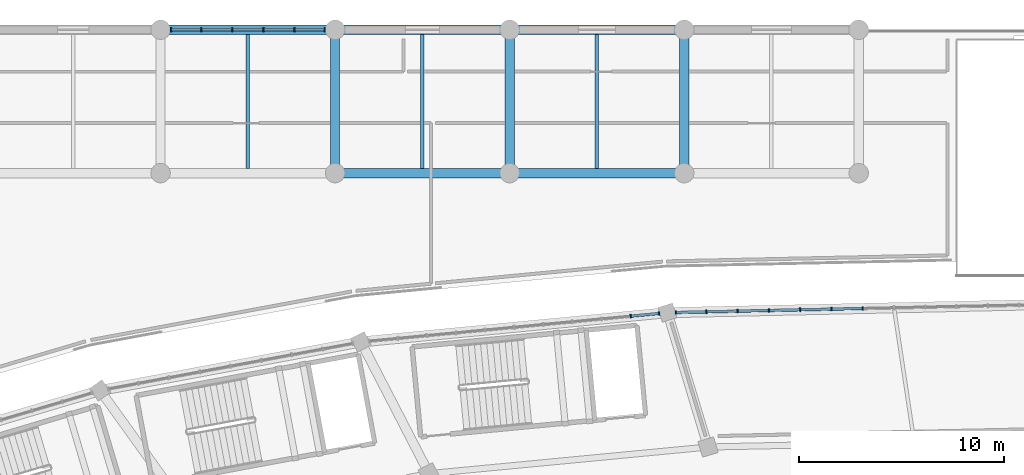
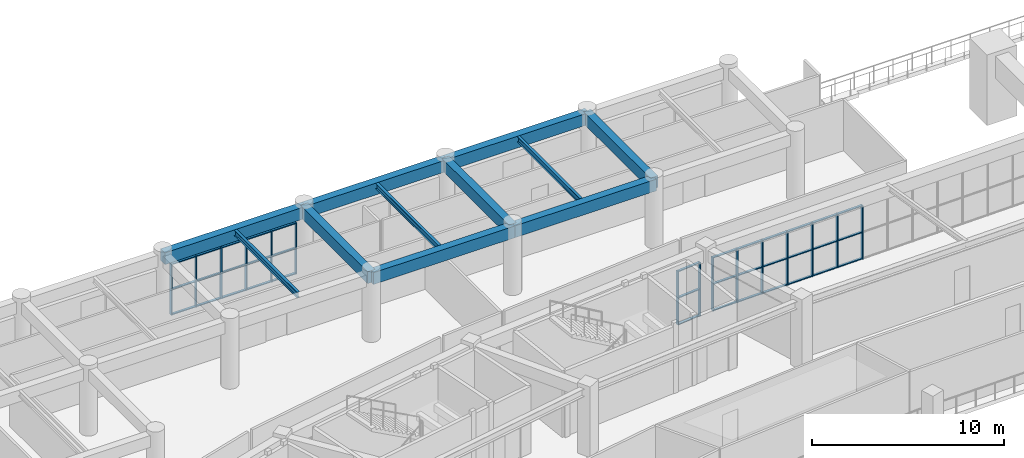
# One storey, part 58 of 141: 51 members, 11 beams, 3 elements without a shape of their own.
"""IFC4 building model written with IfcOpenShell, lengths in metres."""

from ifc_helpers import new_model, si_unit, direction, frame, origin, origin_2d, place, context, subcontext, project, spatial, rectangle, i_section, extrude, material, layer, layer_set, material_profile, profile_set, type_object, element, aggregate, save


model = new_model("IFC4")

# Units and contexts
model_context = context("Model", 3, precision=1e-05, world=origin(), true_north=direction((0.0, 1.0)))
body_context = subcontext(model_context, "Body", "Model", "MODEL_VIEW")
ifc_project = project(units=[si_unit("LENGTHUNIT", "METRE"), si_unit("AREAUNIT", "SQUARE_METRE"), si_unit("VOLUMEUNIT", "CUBIC_METRE"), si_unit("PLANEANGLEUNIT", "RADIAN"), si_unit("MASSUNIT", "GRAM", prefix="KILO")], contexts=[model_context])

# Site, building, storey
site_placement = place(None, origin())
site = spatial("IfcSite", under=ifc_project, at=site_placement, CompositionType="ELEMENT")
building_placement = place(site_placement, origin())
building = spatial("IfcBuilding", under=site, at=building_placement, Name="Mphavela Belvedere Stadium", CompositionType="ELEMENT")
storey_placement = place(building_placement, frame((0.0, 0.0, 14.699951171875)))
storey = spatial("IfcBuildingStorey", under=building, at=storey_placement, Name="L03", CompositionType="ELEMENT", Elevation=14.699951171875)

# Beams
ifc_material_1 = material(Name="Steel S355", Category="steel")
ifc_material_profile_1 = material_profile(ifc_material_1, i_section(OverallWidth=0.169921875, OverallDepth=0.360107421875, WebThickness=0.008056640625, FlangeThickness=0.0126953125, at=origin_2d()), Name="IPE 360")
ifc_profile_set_1 = profile_set([ifc_material_profile_1], Name="Steel S355")
beam_type_1 = type_object("IfcBeamType", Name="BM-JOIST-IPE360", PredefinedType="JOIST", material=ifc_profile_set_1)
for number, where, z_axis, x_axis, name in (
    (1, (72.407470703125, 167.22509765625, 4.06005859375), (0.0, 1.0, 0.0), (-1.0, 0.0, 0.0), "North Mast and Ceremonial End Forecourt secondary joist L03 9-7"),
    (2, (80.926025390625, 167.22509765625, 4.06005859375), (0.0, 1.0, 0.0), (-1.0, 0.0, 0.0), "North Mast and Ceremonial End Forecourt secondary joist L03 10-7"),
    (3, (89.444580078125, 167.22509765625, 4.06005859375), (0.0, 1.0, 0.0), (-1.0, 0.0, 0.0), "North Mast and Ceremonial End Forecourt secondary joist L03 11-7"),
):
    element("IfcBeam", number, at=place(storey_placement, frame(where, z_axis=z_axis, x_axis=x_axis)), inside=storey, type_object=beam_type_1, Name=name, PredefinedType="JOIST", context=body_context, shape_type="SweptSolid", body=[
        extrude(i_section(OverallWidth=0.169921875, OverallDepth=0.360107421875, WebThickness=0.008056640625, FlangeThickness=0.0126953125, at=origin_2d()), origin(), (0.0, 0.0, 1.0), 6.5498046875),
    ])
ifc_material_2 = material(Name="Concrete C40/50", Category="concrete")
ifc_material_profile_2 = material_profile(ifc_material_2, rectangle(XDim=0.449951171875, YDim=0.75, at=origin_2d()), Name="RC 450x750")
ifc_profile_set_2 = profile_set([ifc_material_profile_2], Name="Concrete C40/50")
beam_type_2 = type_object("IfcBeamType", Name="BM-RC450x750", PredefinedType="BEAM", material=ifc_profile_set_2)
beam_1_placement = place(storey_placement, frame((68.14794921875, 174.0, 3.864990234375), z_axis=(1.0, 0.0, 0.0), x_axis=(0.0, 1.0, 0.0)))
element("IfcBeam", 4, at=beam_1_placement, inside=storey, type_object=beam_type_2, Name="North Mast and Ceremonial End Forecourt entablature beam X L03 9-8", PredefinedType="BEAM", context=body_context, shape_type="SweptSolid", body=[
    extrude(rectangle(XDim=0.449951171875, YDim=0.75, at=origin_2d()), origin(), (0.0, 0.0, 1.0), 8.51904296875),
])
beam_2_placement = place(storey_placement, frame((76.6669921875, 167.0, 3.864990234375), z_axis=(1.0, 0.0, 0.0), x_axis=(0.0, 1.0, 0.0)))
element("IfcBeam", 5, at=beam_2_placement, inside=storey, type_object=beam_type_2, Name="North Mast and Ceremonial End Forecourt entablature beam X L03 10-7", PredefinedType="BEAM", context=body_context, shape_type="SweptSolid", body=[
    extrude(rectangle(XDim=0.449951171875, YDim=0.75, at=origin_2d()), origin(), (0.0, 0.0, 1.0), 8.51806640625),
])
beam_3_placement = place(storey_placement, frame((76.6669921875, 167.0, 3.864990234375), z_axis=(0.0, 1.0, 0.0), x_axis=(-1.0, 0.0, 0.0)))
element("IfcBeam", 6, at=beam_3_placement, inside=storey, type_object=beam_type_2, Name="North Mast and Ceremonial End Forecourt entablature beam Y L03 10-7", PredefinedType="BEAM", context=body_context, shape_type="SweptSolid", body=[
    extrude(rectangle(XDim=0.449951171875, YDim=0.75, at=origin_2d()), origin(), (0.0, 0.0, 1.0), 7.0),
])
beam_4_placement = place(storey_placement, frame((76.6669921875, 174.0, 3.864990234375), z_axis=(1.0, 0.0, 0.0), x_axis=(0.0, 1.0, 0.0)))
element("IfcBeam", 7, at=beam_4_placement, inside=storey, type_object=beam_type_2, Name="North Mast and Ceremonial End Forecourt entablature beam X L03 10-8", PredefinedType="BEAM", context=body_context, shape_type="SweptSolid", body=[
    extrude(rectangle(XDim=0.449951171875, YDim=0.75, at=origin_2d()), origin(), (0.0, 0.0, 1.0), 8.51806640625),
])
beam_5_placement = place(storey_placement, frame((85.18505859375, 167.0, 3.864990234375), z_axis=(1.0, 0.0, 0.0), x_axis=(0.0, 1.0, 0.0)))
element("IfcBeam", 8, at=beam_5_placement, inside=storey, type_object=beam_type_2, Name="North Mast and Ceremonial End Forecourt entablature beam X L03 11-7", PredefinedType="BEAM", context=body_context, shape_type="SweptSolid", body=[
    extrude(rectangle(XDim=0.449951171875, YDim=0.75, at=origin_2d()), origin(), (0.0, 0.0, 1.0), 8.51904296875),
])
beam_6_placement = place(storey_placement, frame((85.18505859375, 167.0, 3.864990234375), z_axis=(0.0, 1.0, 0.0), x_axis=(-1.0, 0.0, 0.0)))
element("IfcBeam", 9, at=beam_6_placement, inside=storey, type_object=beam_type_2, Name="North Mast and Ceremonial End Forecourt entablature beam Y L03 11-7", PredefinedType="BEAM", context=body_context, shape_type="SweptSolid", body=[
    extrude(rectangle(XDim=0.449951171875, YDim=0.75, at=origin_2d()), origin(), (0.0, 0.0, 1.0), 7.0),
])
beam_7_placement = place(storey_placement, frame((85.18505859375, 174.0, 3.864990234375), z_axis=(1.0, 0.0, 0.0), x_axis=(0.0, 1.0, 0.0)))
element("IfcBeam", 10, at=beam_7_placement, inside=storey, type_object=beam_type_2, Name="North Mast and Ceremonial End Forecourt entablature beam X L03 11-8", PredefinedType="BEAM", context=body_context, shape_type="SweptSolid", body=[
    extrude(rectangle(XDim=0.449951171875, YDim=0.75, at=origin_2d()), origin(), (0.0, 0.0, 1.0), 8.51904296875),
])
beam_8_placement = place(storey_placement, frame((93.7041015625, 167.0, 3.864990234375), z_axis=(0.0, 1.0, 0.0), x_axis=(-1.0, 0.0, 0.0)))
element("IfcBeam", 11, at=beam_8_placement, inside=storey, type_object=beam_type_2, Name="North Mast and Ceremonial End Forecourt entablature beam Y L03 12-7", PredefinedType="BEAM", context=body_context, shape_type="SweptSolid", body=[
    extrude(rectangle(XDim=0.449951171875, YDim=0.75, at=origin_2d()), origin(), (0.0, 0.0, 1.0), 7.0),
])

# Curtain wall, members
ifc_material_3 = material(Name="Anodised bronze unitised curtain wall framing")
ifc_layer_1 = layer(ifc_material_3, 0.199951171875)
ifc_layer_set_1 = layer_set([ifc_layer_1], Name="Anodised bronze unitised curtain wall framing")
curtain_wall_type_1 = type_object("IfcCurtainWallType", Name="CW-UNIT-05", PredefinedType="USERDEFINED", material=ifc_layer_set_1)
curtain_wall_1_placement = place(storey_placement, origin())
curtain_wall_1 = element("IfcCurtainWall", 12, at=curtain_wall_1_placement, inside=storey, type_object=curtain_wall_type_1, Name="Belvedere colonnade curtain wall L03-13", ObjectType="UNITISED CURTAIN WALL", PredefinedType="USERDEFINED")
ifc_material_4 = material(Name="Anodised bronze extruded aluminium", Category="aluminium")
ifc_material_profile_3 = material_profile(ifc_material_4, rectangle(XDim=0.179931640625, YDim=0.06494140625, at=origin_2d()), Name="CW-MUL 180x65")
ifc_profile_set_3 = profile_set([ifc_material_profile_3], Name="Anodised bronze extruded aluminium")
member_type_1 = type_object("IfcMemberType", Name="CWM-180x65", PredefinedType="MULLION", material=ifc_profile_set_3)
member_1_placement = place(storey_placement, frame((102.416259765625, 160.39892578125, 0.0), z_axis=(0.0, 0.0, 1.0), x_axis=(0.02153107878, -0.999768179453, 0.0)))
member_1 = element("IfcMember", 13, at=member_1_placement, type_object=member_type_1, Name="CW-05 mullion 9", PredefinedType="MULLION", context=body_context, shape_type="SweptSolid", body=[
    extrude(rectangle(XDim=0.179931640625, YDim=0.06494140625, at=origin_2d()), origin(), (0.0, 0.0, 1.0), 3.420166015625),
])
member_2_placement = place(storey_placement, frame((100.889892578125, 160.3662109375, 0.0), z_axis=(0.0, 0.0, 1.0), x_axis=(0.02153107878, -0.999768179453, 0.0)))
member_2 = element("IfcMember", 14, at=member_2_placement, type_object=member_type_1, Name="CW-05 mullion 10", PredefinedType="MULLION", context=body_context, shape_type="SweptSolid", body=[
    extrude(rectangle(XDim=0.179931640625, YDim=0.06494140625, at=origin_2d()), origin(), (0.0, 0.0, 1.0), 3.420166015625),
])
member_3_placement = place(storey_placement, frame((99.36376953125, 160.333251953125, 0.0), z_axis=(0.0, 0.0, 1.0), x_axis=(0.02153107878, -0.999768179453, 0.0)))
member_3 = element("IfcMember", 15, at=member_3_placement, type_object=member_type_1, Name="CW-05 mullion 11", PredefinedType="MULLION", context=body_context, shape_type="SweptSolid", body=[
    extrude(rectangle(XDim=0.179931640625, YDim=0.06494140625, at=origin_2d()), origin(), (0.0, 0.0, 1.0), 3.420166015625),
])
member_4_placement = place(storey_placement, frame((97.83740234375, 160.30029296875, 0.0), z_axis=(0.0, 0.0, 1.0), x_axis=(0.02153107878, -0.999768179453, 0.0)))
member_4 = element("IfcMember", 16, at=member_4_placement, type_object=member_type_1, Name="CW-05 mullion 12", PredefinedType="MULLION", context=body_context, shape_type="SweptSolid", body=[
    extrude(rectangle(XDim=0.179931640625, YDim=0.06494140625, at=origin_2d()), origin(), (0.0, 0.0, 1.0), 3.420166015625),
])
member_5_placement = place(storey_placement, frame((96.31103515625, 160.267578125, 0.0), z_axis=(0.0, 0.0, 1.0), x_axis=(0.02153107878, -0.999768179453, 0.0)))
member_5 = element("IfcMember", 17, at=member_5_placement, type_object=member_type_1, Name="CW-05 mullion 13", PredefinedType="MULLION", context=body_context, shape_type="SweptSolid", body=[
    extrude(rectangle(XDim=0.179931640625, YDim=0.06494140625, at=origin_2d()), origin(), (0.0, 0.0, 1.0), 3.420166015625),
])
member_6_placement = place(storey_placement, frame((94.78466796875, 160.234619140625, 0.0), z_axis=(0.0, 0.0, 1.0), x_axis=(0.02153107878, -0.999768179453, 0.0)))
member_6 = element("IfcMember", 18, at=member_6_placement, type_object=member_type_1, Name="CW-05 mullion 14", PredefinedType="MULLION", context=body_context, shape_type="SweptSolid", body=[
    extrude(rectangle(XDim=0.179931640625, YDim=0.06494140625, at=origin_2d()), origin(), (0.0, 0.0, 1.0), 3.420166015625),
])
member_7_placement = place(storey_placement, frame((93.290771484375, 160.202392578125, 0.0), z_axis=(0.0, 0.0, 1.0), x_axis=(0.02153107878, -0.999768179453, 0.0)))
member_7 = element("IfcMember", 19, at=member_7_placement, type_object=member_type_1, Name="CW-05 mullion 15", PredefinedType="MULLION", context=body_context, shape_type="SweptSolid", body=[
    extrude(rectangle(XDim=0.179931640625, YDim=0.06494140625, at=origin_2d()), origin(), (0.0, 0.0, 1.0), 3.420166015625),
])

ifc_material_5 = material(Name="Anodised bronze unitised curtain wall framing")
ifc_layer_2 = layer(ifc_material_5, 0.205078125)
ifc_layer_set_2 = layer_set([ifc_layer_2], Name="Anodised bronze unitised curtain wall framing")
curtain_wall_type_2 = type_object("IfcCurtainWallType", Name="CW-UNIT-06", PredefinedType="USERDEFINED", material=ifc_layer_set_2)
curtain_wall_2_placement = place(storey_placement, origin())
curtain_wall_2 = element("IfcCurtainWall", 20, at=curtain_wall_2_placement, inside=storey, type_object=curtain_wall_type_2, Name="Belvedere colonnade curtain wall L03-14", ObjectType="UNITISED CURTAIN WALL", PredefinedType="USERDEFINED")
member_8_placement = place(storey_placement, frame((92.481689453125, 160.1552734375, 0.0), z_axis=(0.0, 0.0, 1.0), x_axis=(0.094929381996, -0.99548400913, 0.0)))
member_8 = element("IfcMember", 21, at=member_8_placement, type_object=member_type_1, Name="CW-06 mullion 1", PredefinedType="MULLION", context=body_context, shape_type="SweptSolid", body=[
    extrude(rectangle(XDim=0.179931640625, YDim=0.06494140625, at=origin_2d()), origin(), (0.0, 0.0, 1.0), 3.420166015625),
])
member_9_placement = place(storey_placement, frame((91.092529296875, 160.02294921875, 0.0), z_axis=(0.0, 0.0, 1.0), x_axis=(0.094929381996, -0.99548400913, 0.0)))
member_9 = element("IfcMember", 22, at=member_9_placement, type_object=member_type_1, Name="CW-06 mullion 2", PredefinedType="MULLION", context=body_context, shape_type="SweptSolid", body=[
    extrude(rectangle(XDim=0.179931640625, YDim=0.06494140625, at=origin_2d()), origin(), (0.0, 0.0, 1.0), 3.420166015625),
])

ifc_material_6 = material(Name="Anodised bronze unitised curtain wall framing")
ifc_layer_3 = layer(ifc_material_6, 0.18505859375)
ifc_layer_set_3 = layer_set([ifc_layer_3], Name="Anodised bronze unitised curtain wall framing")
curtain_wall_type_3 = type_object("IfcCurtainWallType", Name="CW-UNIT-02", PredefinedType="USERDEFINED", material=ifc_layer_set_3)
curtain_wall_3_placement = place(storey_placement, origin())
curtain_wall_3 = element("IfcCurtainWall", 23, at=curtain_wall_3_placement, inside=storey, type_object=curtain_wall_type_3, Name="North Mast and Ceremonial End Forecourt gallery curtain wall L03-09", ObjectType="UNITISED CURTAIN WALL", PredefinedType="USERDEFINED")
member_10_placement = place(storey_placement, frame((68.653564453125, 174.0, 0.0), z_axis=(0.0, 0.0, 1.0), x_axis=(0.0, 1.0, 0.0)))
member_10 = element("IfcMember", 24, at=member_10_placement, type_object=member_type_1, Name="CW-02 mullion 1", PredefinedType="MULLION", context=body_context, shape_type="SweptSolid", body=[
    extrude(rectangle(XDim=0.179931640625, YDim=0.06494140625, at=origin_2d()), origin(), (0.0, 0.0, 1.0), 3.260009765625),
])
member_11_placement = place(storey_placement, frame((70.135498046875, 174.0, 0.0), z_axis=(0.0, 0.0, 1.0), x_axis=(0.0, 1.0, 0.0)))
member_11 = element("IfcMember", 25, at=member_11_placement, type_object=member_type_1, Name="CW-02 mullion 2", PredefinedType="MULLION", context=body_context, shape_type="SweptSolid", body=[
    extrude(rectangle(XDim=0.179931640625, YDim=0.06494140625, at=origin_2d()), origin(), (0.0, 0.0, 1.0), 3.260009765625),
])
member_12_placement = place(storey_placement, frame((71.650146484375, 174.0, 0.0), z_axis=(0.0, 0.0, 1.0), x_axis=(0.0, 1.0, 0.0)))
member_12 = element("IfcMember", 26, at=member_12_placement, type_object=member_type_1, Name="CW-02 mullion 3", PredefinedType="MULLION", context=body_context, shape_type="SweptSolid", body=[
    extrude(rectangle(XDim=0.179931640625, YDim=0.06494140625, at=origin_2d()), origin(), (0.0, 0.0, 1.0), 3.260009765625),
])
member_13_placement = place(storey_placement, frame((73.164794921875, 174.0, 0.0), z_axis=(0.0, 0.0, 1.0), x_axis=(0.0, 1.0, 0.0)))
member_13 = element("IfcMember", 27, at=member_13_placement, type_object=member_type_1, Name="CW-02 mullion 4", PredefinedType="MULLION", context=body_context, shape_type="SweptSolid", body=[
    extrude(rectangle(XDim=0.179931640625, YDim=0.06494140625, at=origin_2d()), origin(), (0.0, 0.0, 1.0), 3.260009765625),
])
member_14_placement = place(storey_placement, frame((74.679443359375, 174.0, 0.0), z_axis=(0.0, 0.0, 1.0), x_axis=(0.0, 1.0, 0.0)))
member_14 = element("IfcMember", 28, at=member_14_placement, type_object=member_type_1, Name="CW-02 mullion 5", PredefinedType="MULLION", context=body_context, shape_type="SweptSolid", body=[
    extrude(rectangle(XDim=0.179931640625, YDim=0.06494140625, at=origin_2d()), origin(), (0.0, 0.0, 1.0), 3.260009765625),
])
member_15_placement = place(storey_placement, frame((76.16162109375, 174.0, 0.0), z_axis=(0.0, 0.0, 1.0), x_axis=(0.0, 1.0, 0.0)))
member_15 = element("IfcMember", 29, at=member_15_placement, type_object=member_type_1, Name="CW-02 mullion 6", PredefinedType="MULLION", context=body_context, shape_type="SweptSolid", body=[
    extrude(rectangle(XDim=0.179931640625, YDim=0.06494140625, at=origin_2d()), origin(), (0.0, 0.0, 1.0), 3.260009765625),
])

# Member
ifc_material_7 = material(Name="Anodised bronze extruded aluminium", Category="aluminium")
ifc_material_profile_4 = material_profile(ifc_material_7, rectangle(XDim=0.139892578125, YDim=0.06005859375, at=origin_2d()), Name="CW-TRN 140x60")
ifc_profile_set_4 = profile_set([ifc_material_profile_4], Name="Anodised bronze extruded aluminium")
member_type_2 = type_object("IfcMemberType", Name="CWT-140x60", PredefinedType="USERDEFINED", material=ifc_profile_set_4)
member_16_placement = place(storey_placement, frame((102.3837890625, 160.3984375, 0.030029296875), z_axis=(-0.99976779593, -0.021548879812, 0.0), x_axis=(0.021548879812, -0.99976779593, 0.0)))
member_16 = element("IfcMember", 30, at=member_16_placement, type_object=member_type_2, Name="CW-05 transom 9.1", ObjectType="TRANSOM", PredefinedType="USERDEFINED", context=body_context, shape_type="SweptSolid", body=[
    extrude(rectangle(XDim=0.139892578125, YDim=0.06005859375, at=origin_2d()), origin(), (0.0, 0.0, 1.0), 1.46142578125),
])

member_17_placement = place(storey_placement, frame((102.3837890625, 160.3984375, 1.7099609375), z_axis=(-0.99976779593, -0.021548879812, 0.0), x_axis=(0.021548879812, -0.99976779593, 0.0)))
member_17 = element("IfcMember", 31, at=member_17_placement, type_object=member_type_2, Name="CW-05 transom 9.2", ObjectType="TRANSOM", PredefinedType="USERDEFINED", context=body_context, shape_type="SweptSolid", body=[
    extrude(rectangle(XDim=0.139892578125, YDim=0.06005859375, at=origin_2d()), origin(), (0.0, 0.0, 1.0), 1.46142578125),
])

member_18_placement = place(storey_placement, frame((102.3837890625, 160.3984375, 3.39013671875), z_axis=(-0.99976779593, -0.021548879812, 0.0), x_axis=(0.021548879812, -0.99976779593, 0.0)))
member_18 = element("IfcMember", 32, at=member_18_placement, type_object=member_type_2, Name="CW-05 transom 9.3", ObjectType="TRANSOM", PredefinedType="USERDEFINED", context=body_context, shape_type="SweptSolid", body=[
    extrude(rectangle(XDim=0.139892578125, YDim=0.06005859375, at=origin_2d()), origin(), (0.0, 0.0, 1.0), 1.46142578125),
])

member_19_placement = place(storey_placement, frame((100.857421875, 160.365478515625, 0.030029296875), z_axis=(-0.99976779593, -0.021548879812, 0.0), x_axis=(0.021548879812, -0.99976779593, 0.0)))
member_19 = element("IfcMember", 33, at=member_19_placement, type_object=member_type_2, Name="CW-05 transom 10.1", ObjectType="TRANSOM", PredefinedType="USERDEFINED", context=body_context, shape_type="SweptSolid", body=[
    extrude(rectangle(XDim=0.139892578125, YDim=0.06005859375, at=origin_2d()), origin(), (0.0, 0.0, 1.0), 1.46142578125),
])

member_20_placement = place(storey_placement, frame((100.857421875, 160.365478515625, 1.7099609375), z_axis=(-0.99976779593, -0.021548879812, 0.0), x_axis=(0.021548879812, -0.99976779593, 0.0)))
member_20 = element("IfcMember", 34, at=member_20_placement, type_object=member_type_2, Name="CW-05 transom 10.2", ObjectType="TRANSOM", PredefinedType="USERDEFINED", context=body_context, shape_type="SweptSolid", body=[
    extrude(rectangle(XDim=0.139892578125, YDim=0.06005859375, at=origin_2d()), origin(), (0.0, 0.0, 1.0), 1.46142578125),
])

member_21_placement = place(storey_placement, frame((100.857421875, 160.365478515625, 3.39013671875), z_axis=(-0.99976779593, -0.021548879812, 0.0), x_axis=(0.021548879812, -0.99976779593, 0.0)))
member_21 = element("IfcMember", 35, at=member_21_placement, type_object=member_type_2, Name="CW-05 transom 10.3", ObjectType="TRANSOM", PredefinedType="USERDEFINED", context=body_context, shape_type="SweptSolid", body=[
    extrude(rectangle(XDim=0.139892578125, YDim=0.06005859375, at=origin_2d()), origin(), (0.0, 0.0, 1.0), 1.46142578125),
])

member_22_placement = place(storey_placement, frame((99.331298828125, 160.33251953125, 0.030029296875), z_axis=(-0.999767873479, -0.021545281604, 0.0), x_axis=(0.021545281604, -0.999767873479, 0.0)))
member_22 = element("IfcMember", 36, at=member_22_placement, type_object=member_type_2, Name="CW-05 transom 11.1", ObjectType="TRANSOM", PredefinedType="USERDEFINED", context=body_context, shape_type="SweptSolid", body=[
    extrude(rectangle(XDim=0.139892578125, YDim=0.06005859375, at=origin_2d()), origin(), (0.0, 0.0, 1.0), 1.461669921875),
])

member_23_placement = place(storey_placement, frame((99.331298828125, 160.33251953125, 1.7099609375), z_axis=(-0.999767873479, -0.021545281604, 0.0), x_axis=(0.021545281604, -0.999767873479, 0.0)))
member_23 = element("IfcMember", 37, at=member_23_placement, type_object=member_type_2, Name="CW-05 transom 11.2", ObjectType="TRANSOM", PredefinedType="USERDEFINED", context=body_context, shape_type="SweptSolid", body=[
    extrude(rectangle(XDim=0.139892578125, YDim=0.06005859375, at=origin_2d()), origin(), (0.0, 0.0, 1.0), 1.461669921875),
])

member_24_placement = place(storey_placement, frame((99.331298828125, 160.33251953125, 3.39013671875), z_axis=(-0.999767873479, -0.021545281604, 0.0), x_axis=(0.021545281604, -0.999767873479, 0.0)))
member_24 = element("IfcMember", 38, at=member_24_placement, type_object=member_type_2, Name="CW-05 transom 11.3", ObjectType="TRANSOM", PredefinedType="USERDEFINED", context=body_context, shape_type="SweptSolid", body=[
    extrude(rectangle(XDim=0.139892578125, YDim=0.06005859375, at=origin_2d()), origin(), (0.0, 0.0, 1.0), 1.461669921875),
])

member_25_placement = place(storey_placement, frame((97.804931640625, 160.2998046875, 0.030029296875), z_axis=(-0.999767873479, -0.021545281604, 0.0), x_axis=(0.021545281604, -0.999767873479, 0.0)))
member_25 = element("IfcMember", 39, at=member_25_placement, type_object=member_type_2, Name="CW-05 transom 12.1", ObjectType="TRANSOM", PredefinedType="USERDEFINED", context=body_context, shape_type="SweptSolid", body=[
    extrude(rectangle(XDim=0.139892578125, YDim=0.06005859375, at=origin_2d()), origin(), (0.0, 0.0, 1.0), 1.461669921875),
])

member_26_placement = place(storey_placement, frame((97.804931640625, 160.2998046875, 1.7099609375), z_axis=(-0.999767873479, -0.021545281604, 0.0), x_axis=(0.021545281604, -0.999767873479, 0.0)))
member_26 = element("IfcMember", 40, at=member_26_placement, type_object=member_type_2, Name="CW-05 transom 12.2", ObjectType="TRANSOM", PredefinedType="USERDEFINED", context=body_context, shape_type="SweptSolid", body=[
    extrude(rectangle(XDim=0.139892578125, YDim=0.06005859375, at=origin_2d()), origin(), (0.0, 0.0, 1.0), 1.461669921875),
])

member_27_placement = place(storey_placement, frame((97.804931640625, 160.2998046875, 3.39013671875), z_axis=(-0.999767873479, -0.021545281604, 0.0), x_axis=(0.021545281604, -0.999767873479, 0.0)))
member_27 = element("IfcMember", 41, at=member_27_placement, type_object=member_type_2, Name="CW-05 transom 12.3", ObjectType="TRANSOM", PredefinedType="USERDEFINED", context=body_context, shape_type="SweptSolid", body=[
    extrude(rectangle(XDim=0.139892578125, YDim=0.06005859375, at=origin_2d()), origin(), (0.0, 0.0, 1.0), 1.461669921875),
])

member_28_placement = place(storey_placement, frame((96.278564453125, 160.266845703125, 0.030029296875), z_axis=(-0.999767873479, -0.021545281604, 0.0), x_axis=(0.021545281604, -0.999767873479, 0.0)))
member_28 = element("IfcMember", 42, at=member_28_placement, type_object=member_type_2, Name="CW-05 transom 13.1", ObjectType="TRANSOM", PredefinedType="USERDEFINED", context=body_context, shape_type="SweptSolid", body=[
    extrude(rectangle(XDim=0.139892578125, YDim=0.06005859375, at=origin_2d()), origin(), (0.0, 0.0, 1.0), 1.461669921875),
])

member_29_placement = place(storey_placement, frame((96.278564453125, 160.266845703125, 1.7099609375), z_axis=(-0.999767873479, -0.021545281604, 0.0), x_axis=(0.021545281604, -0.999767873479, 0.0)))
member_29 = element("IfcMember", 43, at=member_29_placement, type_object=member_type_2, Name="CW-05 transom 13.2", ObjectType="TRANSOM", PredefinedType="USERDEFINED", context=body_context, shape_type="SweptSolid", body=[
    extrude(rectangle(XDim=0.139892578125, YDim=0.06005859375, at=origin_2d()), origin(), (0.0, 0.0, 1.0), 1.461669921875),
])

member_30_placement = place(storey_placement, frame((96.278564453125, 160.266845703125, 3.39013671875), z_axis=(-0.999767873479, -0.021545281604, 0.0), x_axis=(0.021545281604, -0.999767873479, 0.0)))
member_30 = element("IfcMember", 44, at=member_30_placement, type_object=member_type_2, Name="CW-05 transom 13.3", ObjectType="TRANSOM", PredefinedType="USERDEFINED", context=body_context, shape_type="SweptSolid", body=[
    extrude(rectangle(XDim=0.139892578125, YDim=0.06005859375, at=origin_2d()), origin(), (0.0, 0.0, 1.0), 1.461669921875),
])

member_31_placement = place(storey_placement, frame((94.752197265625, 160.23388671875, 0.030029296875), z_axis=(-0.999768365561, -0.021522435343, 0.0), x_axis=(0.021522435343, -0.999768365561, 0.0)))
member_31 = element("IfcMember", 45, at=member_31_placement, type_object=member_type_2, Name="CW-05 transom 14.1", ObjectType="TRANSOM", PredefinedType="USERDEFINED", context=body_context, shape_type="SweptSolid", body=[
    extrude(rectangle(XDim=0.139892578125, YDim=0.06005859375, at=origin_2d()), origin(), (0.0, 0.0, 1.0), 1.42919921875),
])

member_32_placement = place(storey_placement, frame((94.752197265625, 160.23388671875, 1.7099609375), z_axis=(-0.999768365561, -0.021522435343, 0.0), x_axis=(0.021522435343, -0.999768365561, 0.0)))
member_32 = element("IfcMember", 46, at=member_32_placement, type_object=member_type_2, Name="CW-05 transom 14.2", ObjectType="TRANSOM", PredefinedType="USERDEFINED", context=body_context, shape_type="SweptSolid", body=[
    extrude(rectangle(XDim=0.139892578125, YDim=0.06005859375, at=origin_2d()), origin(), (0.0, 0.0, 1.0), 1.42919921875),
])

member_33_placement = place(storey_placement, frame((94.752197265625, 160.23388671875, 3.39013671875), z_axis=(-0.999768365561, -0.021522435343, 0.0), x_axis=(0.021522435343, -0.999768365561, 0.0)))
member_33 = element("IfcMember", 47, at=member_33_placement, type_object=member_type_2, Name="CW-05 transom 14.3", ObjectType="TRANSOM", PredefinedType="USERDEFINED", context=body_context, shape_type="SweptSolid", body=[
    extrude(rectangle(XDim=0.139892578125, YDim=0.06005859375, at=origin_2d()), origin(), (0.0, 0.0, 1.0), 1.42919921875),
])

aggregate(curtain_wall_1, [member_1, member_2, member_3, member_4, member_5, member_6, member_7, member_16, member_17, member_18, member_19, member_20, member_21, member_22, member_23, member_24, member_25, member_26, member_27, member_28, member_29, member_30, member_31, member_32, member_33])

member_34_placement = place(storey_placement, frame((92.449462890625, 160.15234375, 0.030029296875), z_axis=(-0.995472351283, -0.095051553542, 0.0), x_axis=(0.095051553542, -0.995472351283, 0.0)))
member_34 = element("IfcMember", 48, at=member_34_placement, type_object=member_type_2, Name="CW-06 transom 1.1", ObjectType="TRANSOM", PredefinedType="USERDEFINED", context=body_context, shape_type="SweptSolid", body=[
    extrude(rectangle(XDim=0.139892578125, YDim=0.06005859375, at=origin_2d()), origin(), (0.0, 0.0, 1.0), 1.33056640625),
])

member_35_placement = place(storey_placement, frame((92.449462890625, 160.15234375, 1.7099609375), z_axis=(-0.995472351283, -0.095051553542, 0.0), x_axis=(0.095051553542, -0.995472351283, 0.0)))
member_35 = element("IfcMember", 49, at=member_35_placement, type_object=member_type_2, Name="CW-06 transom 1.2", ObjectType="TRANSOM", PredefinedType="USERDEFINED", context=body_context, shape_type="SweptSolid", body=[
    extrude(rectangle(XDim=0.139892578125, YDim=0.06005859375, at=origin_2d()), origin(), (0.0, 0.0, 1.0), 1.33056640625),
])

member_36_placement = place(storey_placement, frame((92.449462890625, 160.15234375, 3.39013671875), z_axis=(-0.995472351283, -0.095051553542, 0.0), x_axis=(0.095051553542, -0.995472351283, 0.0)))
member_36 = element("IfcMember", 50, at=member_36_placement, type_object=member_type_2, Name="CW-06 transom 1.3", ObjectType="TRANSOM", PredefinedType="USERDEFINED", context=body_context, shape_type="SweptSolid", body=[
    extrude(rectangle(XDim=0.139892578125, YDim=0.06005859375, at=origin_2d()), origin(), (0.0, 0.0, 1.0), 1.33056640625),
])

aggregate(curtain_wall_2, [member_8, member_9, member_34, member_35, member_36])

member_37_placement = place(storey_placement, frame((68.68603515625, 174.0, 0.030029296875), z_axis=(1.0, 0.0, 0.0), x_axis=(0.0, 1.0, 0.0)))
member_37 = element("IfcMember", 51, at=member_37_placement, type_object=member_type_2, Name="CW-02 transom 1.1", ObjectType="TRANSOM", PredefinedType="USERDEFINED", context=body_context, shape_type="SweptSolid", body=[
    extrude(rectangle(XDim=0.139892578125, YDim=0.06005859375, at=origin_2d()), origin(), (0.0, 0.0, 1.0), 1.4169921875),
])

member_38_placement = place(storey_placement, frame((68.68603515625, 174.0, 1.630126953125), z_axis=(1.0, 0.0, 0.0), x_axis=(0.0, 1.0, 0.0)))
member_38 = element("IfcMember", 52, at=member_38_placement, type_object=member_type_2, Name="CW-02 transom 1.2", ObjectType="TRANSOM", PredefinedType="USERDEFINED", context=body_context, shape_type="SweptSolid", body=[
    extrude(rectangle(XDim=0.139892578125, YDim=0.06005859375, at=origin_2d()), origin(), (0.0, 0.0, 1.0), 1.4169921875),
])

member_39_placement = place(storey_placement, frame((68.68603515625, 174.0, 3.22998046875), z_axis=(1.0, 0.0, 0.0), x_axis=(0.0, 1.0, 0.0)))
member_39 = element("IfcMember", 53, at=member_39_placement, type_object=member_type_2, Name="CW-02 transom 1.3", ObjectType="TRANSOM", PredefinedType="USERDEFINED", context=body_context, shape_type="SweptSolid", body=[
    extrude(rectangle(XDim=0.139892578125, YDim=0.06005859375, at=origin_2d()), origin(), (0.0, 0.0, 1.0), 1.4169921875),
])

member_40_placement = place(storey_placement, frame((70.168212890625, 174.0, 0.030029296875), z_axis=(1.0, 0.0, 0.0), x_axis=(0.0, 1.0, 0.0)))
member_40 = element("IfcMember", 54, at=member_40_placement, type_object=member_type_2, Name="CW-02 transom 2.1", ObjectType="TRANSOM", PredefinedType="USERDEFINED", context=body_context, shape_type="SweptSolid", body=[
    extrude(rectangle(XDim=0.139892578125, YDim=0.06005859375, at=origin_2d()), origin(), (0.0, 0.0, 1.0), 1.449462890625),
])

member_41_placement = place(storey_placement, frame((70.168212890625, 174.0, 1.630126953125), z_axis=(1.0, 0.0, 0.0), x_axis=(0.0, 1.0, 0.0)))
member_41 = element("IfcMember", 55, at=member_41_placement, type_object=member_type_2, Name="CW-02 transom 2.2", ObjectType="TRANSOM", PredefinedType="USERDEFINED", context=body_context, shape_type="SweptSolid", body=[
    extrude(rectangle(XDim=0.139892578125, YDim=0.06005859375, at=origin_2d()), origin(), (0.0, 0.0, 1.0), 1.449462890625),
])

member_42_placement = place(storey_placement, frame((70.168212890625, 174.0, 3.22998046875), z_axis=(1.0, 0.0, 0.0), x_axis=(0.0, 1.0, 0.0)))
member_42 = element("IfcMember", 56, at=member_42_placement, type_object=member_type_2, Name="CW-02 transom 2.3", ObjectType="TRANSOM", PredefinedType="USERDEFINED", context=body_context, shape_type="SweptSolid", body=[
    extrude(rectangle(XDim=0.139892578125, YDim=0.06005859375, at=origin_2d()), origin(), (0.0, 0.0, 1.0), 1.449462890625),
])

member_43_placement = place(storey_placement, frame((71.6826171875, 174.0, 0.030029296875), z_axis=(1.0, 0.0, 0.0), x_axis=(0.0, 1.0, 0.0)))
member_43 = element("IfcMember", 57, at=member_43_placement, type_object=member_type_2, Name="CW-02 transom 3.1", ObjectType="TRANSOM", PredefinedType="USERDEFINED", context=body_context, shape_type="SweptSolid", body=[
    extrude(rectangle(XDim=0.139892578125, YDim=0.06005859375, at=origin_2d()), origin(), (0.0, 0.0, 1.0), 1.44970703125),
])

member_44_placement = place(storey_placement, frame((71.6826171875, 174.0, 1.630126953125), z_axis=(1.0, 0.0, 0.0), x_axis=(0.0, 1.0, 0.0)))
member_44 = element("IfcMember", 58, at=member_44_placement, type_object=member_type_2, Name="CW-02 transom 3.2", ObjectType="TRANSOM", PredefinedType="USERDEFINED", context=body_context, shape_type="SweptSolid", body=[
    extrude(rectangle(XDim=0.139892578125, YDim=0.06005859375, at=origin_2d()), origin(), (0.0, 0.0, 1.0), 1.44970703125),
])

member_45_placement = place(storey_placement, frame((71.6826171875, 174.0, 3.22998046875), z_axis=(1.0, 0.0, 0.0), x_axis=(0.0, 1.0, 0.0)))
member_45 = element("IfcMember", 59, at=member_45_placement, type_object=member_type_2, Name="CW-02 transom 3.3", ObjectType="TRANSOM", PredefinedType="USERDEFINED", context=body_context, shape_type="SweptSolid", body=[
    extrude(rectangle(XDim=0.139892578125, YDim=0.06005859375, at=origin_2d()), origin(), (0.0, 0.0, 1.0), 1.44970703125),
])

member_46_placement = place(storey_placement, frame((73.197265625, 174.0, 0.030029296875), z_axis=(1.0, 0.0, 0.0), x_axis=(0.0, 1.0, 0.0)))
member_46 = element("IfcMember", 60, at=member_46_placement, type_object=member_type_2, Name="CW-02 transom 4.1", ObjectType="TRANSOM", PredefinedType="USERDEFINED", context=body_context, shape_type="SweptSolid", body=[
    extrude(rectangle(XDim=0.139892578125, YDim=0.06005859375, at=origin_2d()), origin(), (0.0, 0.0, 1.0), 1.44970703125),
])

member_47_placement = place(storey_placement, frame((73.197265625, 174.0, 1.630126953125), z_axis=(1.0, 0.0, 0.0), x_axis=(0.0, 1.0, 0.0)))
member_47 = element("IfcMember", 61, at=member_47_placement, type_object=member_type_2, Name="CW-02 transom 4.2", ObjectType="TRANSOM", PredefinedType="USERDEFINED", context=body_context, shape_type="SweptSolid", body=[
    extrude(rectangle(XDim=0.139892578125, YDim=0.06005859375, at=origin_2d()), origin(), (0.0, 0.0, 1.0), 1.44970703125),
])

member_48_placement = place(storey_placement, frame((73.197265625, 174.0, 3.22998046875), z_axis=(1.0, 0.0, 0.0), x_axis=(0.0, 1.0, 0.0)))
member_48 = element("IfcMember", 62, at=member_48_placement, type_object=member_type_2, Name="CW-02 transom 4.3", ObjectType="TRANSOM", PredefinedType="USERDEFINED", context=body_context, shape_type="SweptSolid", body=[
    extrude(rectangle(XDim=0.139892578125, YDim=0.06005859375, at=origin_2d()), origin(), (0.0, 0.0, 1.0), 1.44970703125),
])

member_49_placement = place(storey_placement, frame((74.7119140625, 174.0, 0.030029296875), z_axis=(1.0, 0.0, 0.0), x_axis=(0.0, 1.0, 0.0)))
member_49 = element("IfcMember", 63, at=member_49_placement, type_object=member_type_2, Name="CW-02 transom 5.1", ObjectType="TRANSOM", PredefinedType="USERDEFINED", context=body_context, shape_type="SweptSolid", body=[
    extrude(rectangle(XDim=0.139892578125, YDim=0.06005859375, at=origin_2d()), origin(), (0.0, 0.0, 1.0), 1.4169921875),
])

member_50_placement = place(storey_placement, frame((74.7119140625, 174.0, 1.630126953125), z_axis=(1.0, 0.0, 0.0), x_axis=(0.0, 1.0, 0.0)))
member_50 = element("IfcMember", 64, at=member_50_placement, type_object=member_type_2, Name="CW-02 transom 5.2", ObjectType="TRANSOM", PredefinedType="USERDEFINED", context=body_context, shape_type="SweptSolid", body=[
    extrude(rectangle(XDim=0.139892578125, YDim=0.06005859375, at=origin_2d()), origin(), (0.0, 0.0, 1.0), 1.4169921875),
])

member_51_placement = place(storey_placement, frame((74.7119140625, 174.0, 3.22998046875), z_axis=(1.0, 0.0, 0.0), x_axis=(0.0, 1.0, 0.0)))
member_51 = element("IfcMember", 65, at=member_51_placement, type_object=member_type_2, Name="CW-02 transom 5.3", ObjectType="TRANSOM", PredefinedType="USERDEFINED", context=body_context, shape_type="SweptSolid", body=[
    extrude(rectangle(XDim=0.139892578125, YDim=0.06005859375, at=origin_2d()), origin(), (0.0, 0.0, 1.0), 1.4169921875),
])

aggregate(curtain_wall_3, [member_10, member_11, member_12, member_13, member_14, member_15, member_37, member_38, member_39, member_40, member_41, member_42, member_43, member_44, member_45, member_46, member_47, member_48, member_49, member_50, member_51])

save(model, "model.ifc")
